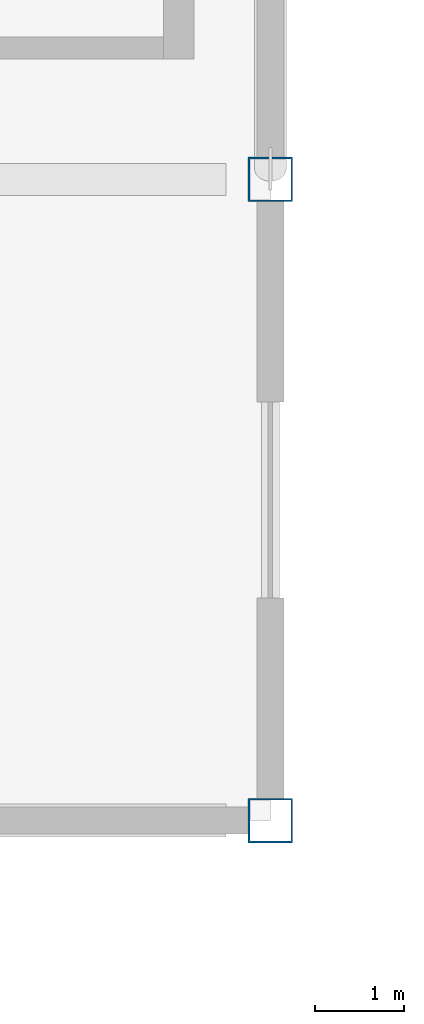
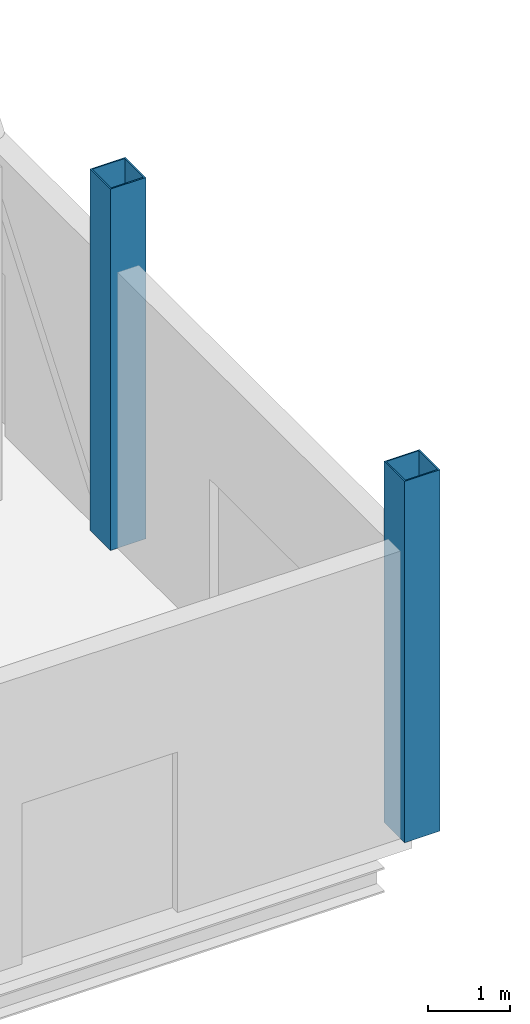
# One storey, part 10 of 137: 2 columns.
"""IFC4 building model written with IfcOpenShell, lengths in metres."""

from ifc_helpers import new_model, si_unit, direction, frame, origin, origin_2d, place, context, subcontext, project, spatial, hollow_rectangle, extrude, material, material_profile, profile_set, type_object, element, save


model = new_model("IFC4")

# Units and contexts
model_context = context("Model", 3, precision=1e-05, world=origin(), true_north=direction((0.0, 1.0)))
body_context = subcontext(model_context, "Body", "Model", "MODEL_VIEW")
ifc_project = project(units=[si_unit("LENGTHUNIT", "METRE"), si_unit("AREAUNIT", "SQUARE_METRE"), si_unit("VOLUMEUNIT", "CUBIC_METRE"), si_unit("PLANEANGLEUNIT", "RADIAN"), si_unit("MASSUNIT", "GRAM", prefix="KILO")], contexts=[model_context])

# Site, building, storey
site_placement = place(None, origin())
site = spatial("IfcSite", under=ifc_project, at=site_placement, CompositionType="ELEMENT")
building_placement = place(site_placement, origin())
building = spatial("IfcBuilding", under=site, at=building_placement, Name="Celestram Park Convention Centre", CompositionType="ELEMENT")
storey_placement = place(building_placement, origin())
storey = spatial("IfcBuildingStorey", under=building, at=storey_placement, Name="L00", CompositionType="ELEMENT", Elevation=0.0)

# Columns
ifc_material = material(Name="Steel ASTM A500 Grade C", Category="steel")
ifc_material_profile = material_profile(ifc_material, hollow_rectangle(XDim=0.5, YDim=0.5, WallThickness=0.02001953125, at=origin_2d()), Name="HSS500X500X20")
ifc_profile_set = profile_set([ifc_material_profile], Name="Steel ASTM A500 Grade C")
column_type = type_object("IfcColumnType", Name="STR-COL-HSS500", PredefinedType="COLUMN", material=ifc_profile_set)
for number, where, z_axis, x_axis, name in (
    (1, (216.0, 115.199951171875, 0.0), (0.0, 0.0, 1.0), (1.0, 0.0, 0.0), "Column CN-L00-340"),
    (2, (216.0, 122.39990234375, 0.0), (0.0, 0.0, 1.0), (1.0, 0.0, 0.0), "Column CN-L00-341"),
):
    element("IfcColumn", number, at=place(storey_placement, frame(where, z_axis=z_axis, x_axis=x_axis)), inside=storey, type_object=column_type, Name=name, PredefinedType="COLUMN", context=body_context, shape_type="SweptSolid", body=[
        extrude(hollow_rectangle(XDim=0.5, YDim=0.5, WallThickness=0.02001953125, at=origin_2d()), origin(), (0.0, 0.0, 1.0), 5.39990234375),
    ])

save(model, "model.ifc")
